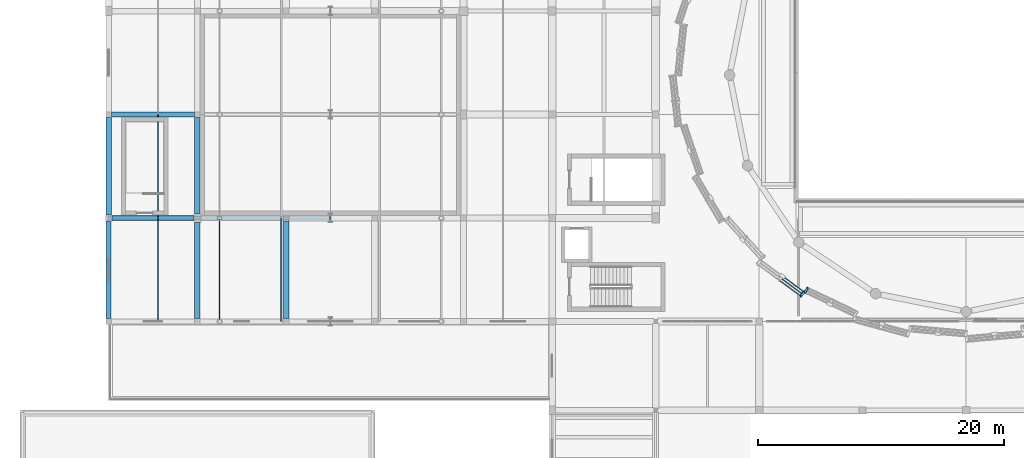
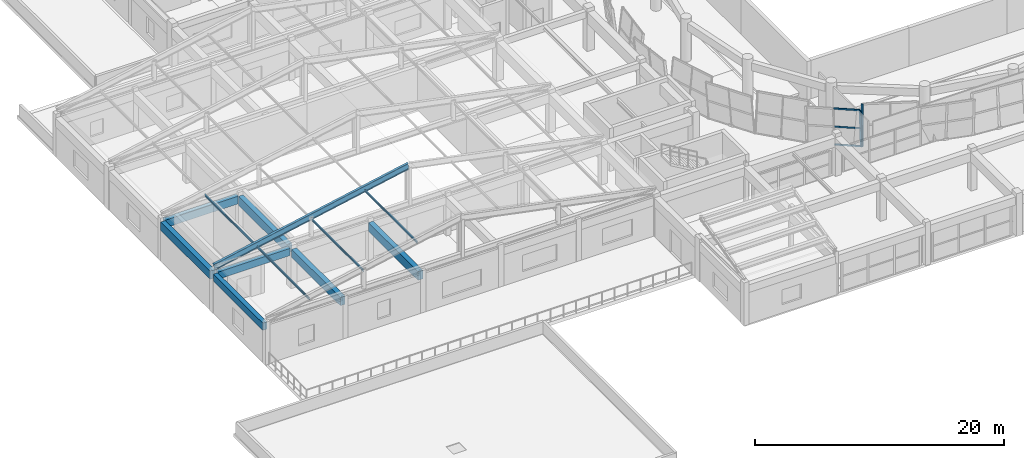
# One storey, part 10 of 74: 10 members, 7 beams, 2 elements without a shape of their own.
"""IFC4 building model written with IfcOpenShell, lengths in metres."""

from ifc_helpers import new_model, si_unit, direction, frame, origin, origin_2d, place, context, subcontext, project, spatial, rectangle, hollow_rectangle, i_section, extrude, material, material_profile, profile_set, type_object, element, aggregate, save


model = new_model("IFC4")

# Units and contexts
model_context = context("Model", 3, precision=1e-05, world=origin(), true_north=direction((0.0, 1.0)))
body_context = subcontext(model_context, "Body", "Model", "MODEL_VIEW")
ifc_project = project(units=[si_unit("LENGTHUNIT", "METRE"), si_unit("AREAUNIT", "SQUARE_METRE"), si_unit("VOLUMEUNIT", "CUBIC_METRE"), si_unit("PLANEANGLEUNIT", "RADIAN"), si_unit("MASSUNIT", "GRAM", prefix="KILO")], contexts=[model_context])

# Site, building, storey
site_placement = place(None, origin())
site = spatial("IfcSite", under=ifc_project, at=site_placement, CompositionType="ELEMENT")
building_placement = place(site_placement, origin())
building = spatial("IfcBuilding", under=site, at=building_placement, Name="Korsvaeld Concert Hall", CompositionType="ELEMENT")
storey_placement = place(building_placement, frame((0.0, 0.0, 9.0)))
storey = spatial("IfcBuildingStorey", under=building, at=storey_placement, Name="L02", CompositionType="ELEMENT", Elevation=9.0)

# Beams
ifc_material_1 = material(Name="Concrete C35/45", Category="concrete")
ifc_material_profile_1 = material_profile(ifc_material_1, rectangle(XDim=0.39990234375, YDim=0.699951171875, at=origin_2d()), Name="RC 400x700")
ifc_profile_set_1 = profile_set([ifc_material_profile_1], Name="Concrete C35/45")
beam_type_1 = type_object("IfcBeamType", Name="BM-RC-400x700", PredefinedType="T_BEAM", material=ifc_profile_set_1)
beam_1_placement = place(storey_placement, frame((14.64990234375, 51.60009765625, 3.489990234375), z_axis=(1.0, 0.0, 0.0), x_axis=(0.0, 1.0, 0.0)))
element("IfcBeam", 1, at=beam_1_placement, inside=storey, type_object=beam_type_1, Name="Primary girder 3-4/H L02", PredefinedType="T_BEAM", context=body_context, shape_type="SweptSolid", body=[
    extrude(rectangle(XDim=0.39990234375, YDim=0.699951171875, at=origin_2d()), origin(), (0.0, 0.0, 1.0), 6.675048828125),
])
beam_2_placement = place(storey_placement, frame((14.39990234375, 43.425048828125, 3.489990234375), z_axis=(0.0, 1.0, 0.0), x_axis=(-1.0, 0.0, 0.0)))
element("IfcBeam", 2, at=beam_2_placement, inside=storey, type_object=beam_type_1, Name="Primary girder 3/G-H L02", PredefinedType="T_BEAM", context=body_context, shape_type="SweptSolid", body=[
    extrude(rectangle(XDim=0.39990234375, YDim=0.699951171875, at=origin_2d()), origin(), (0.0, 0.0, 1.0), 7.925048828125),
])
ifc_material_profile_2 = material_profile(ifc_material_1, rectangle(XDim=0.39990234375, YDim=0.75, at=origin_2d()), Name="RC 400x750")
ifc_profile_set_2 = profile_set([ifc_material_profile_2], Name="Concrete C35/45")
beam_type_2 = type_object("IfcBeamType", Name="BM-RC-400x750", PredefinedType="T_BEAM", material=ifc_profile_set_2)
beam_3_placement = place(storey_placement, frame((14.625, 60.0, 3.465087890625), z_axis=(1.0, 0.0, 0.0), x_axis=(0.0, 1.0, 0.0)))
element("IfcBeam", 3, at=beam_3_placement, inside=storey, type_object=beam_type_2, Name="Primary girder 3-4/J L02", PredefinedType="T_BEAM", context=body_context, shape_type="SweptSolid", body=[
    extrude(rectangle(XDim=0.39990234375, YDim=0.75, at=origin_2d()), origin(), (0.0, 0.0, 1.0), 6.75),
])
ifc_material_profile_3 = material_profile(ifc_material_1, rectangle(XDim=0.449951171875, YDim=0.800048828125, at=origin_2d()), Name="RC 450x800")
ifc_profile_set_3 = profile_set([ifc_material_profile_3], Name="Concrete C35/45")
beam_type_3 = type_object("IfcBeamType", Name="BM-RC-450x800", PredefinedType="T_BEAM", material=ifc_profile_set_3)
beam_4_placement = place(storey_placement, frame((14.39990234375, 51.85009765625, 3.43994140625), z_axis=(0.0, 1.0, 0.0), x_axis=(-1.0, 0.0, 0.0)))
element("IfcBeam", 4, at=beam_4_placement, inside=storey, type_object=beam_type_3, Name="Primary girder 3/H-J L02", PredefinedType="T_BEAM", context=body_context, shape_type="SweptSolid", body=[
    extrude(rectangle(XDim=0.449951171875, YDim=0.800048828125, at=origin_2d()), origin(), (0.0, 0.0, 1.0), 7.9248046875),
])
beam_5_placement = place(storey_placement, frame((21.60009765625, 43.425048828125, 3.43994140625), z_axis=(0.0, 1.0, 0.0), x_axis=(-1.0, 0.0, 0.0)))
element("IfcBeam", 5, at=beam_5_placement, inside=storey, type_object=beam_type_3, Name="Primary girder 4/G-H L02", PredefinedType="T_BEAM", context=body_context, shape_type="SweptSolid", body=[
    extrude(rectangle(XDim=0.449951171875, YDim=0.800048828125, at=origin_2d()), origin(), (0.0, 0.0, 1.0), 7.800048828125),
])
ifc_material_2 = material(Name="Concrete C40/50", Category="concrete")
ifc_material_profile_4 = material_profile(ifc_material_2, rectangle(XDim=0.449951171875, YDim=0.85009765625, at=origin_2d()), Name="RC 450x850")
ifc_profile_set_4 = profile_set([ifc_material_profile_4], Name="Concrete C40/50")
beam_type_4 = type_object("IfcBeamType", Name="BM-RC-450x850", PredefinedType="T_BEAM", material=ifc_profile_set_4)
beam_6_placement = place(storey_placement, frame((21.60009765625, 51.97509765625, 3.4150390625), z_axis=(0.0, 1.0, 0.0), x_axis=(-1.0, 0.0, 0.0)))
element("IfcBeam", 6, at=beam_6_placement, inside=storey, type_object=beam_type_4, Name="Primary girder 4/H-J L02", PredefinedType="T_BEAM", context=body_context, shape_type="SweptSolid", body=[
    extrude(rectangle(XDim=0.449951171875, YDim=0.85009765625, at=origin_2d()), origin(), (0.0, 0.0, 1.0), 7.7998046875),
])
beam_7_placement = place(storey_placement, frame((28.800048828125, 43.449951171875, 3.4150390625), z_axis=(0.0, 1.0, 0.0), x_axis=(-1.0, 0.0, 0.0)))
element("IfcBeam", 7, at=beam_7_placement, inside=storey, type_object=beam_type_4, Name="Primary girder 5/G-H L02", PredefinedType="T_BEAM", context=body_context, shape_type="SweptSolid", body=[
    extrude(rectangle(XDim=0.449951171875, YDim=0.85009765625, at=origin_2d()), origin(), (0.0, 0.0, 1.0), 7.925048828125),
])

# Curtain wall, member
ifc_material_3 = material(Name="Anodised bronze and ceramic-fritted safety glass", Category="glass")
curtain_wall_type_1 = type_object("IfcCurtainWallType", Name="CW-TYPE-06", PredefinedType="USERDEFINED", material=ifc_material_3)
curtain_wall_1_placement = place(storey_placement, origin())
curtain_wall_1 = element("IfcCurtainWall", 8, at=curtain_wall_1_placement, inside=storey, type_object=curtain_wall_type_1, Name="Crystal curtain-wall facet L02 F22", ObjectType="CURTAIN WALL", PredefinedType="USERDEFINED")
ifc_material_4 = material(Name="Anodised architectural bronze aluminium", Category="aluminium")
ifc_material_profile_5 = material_profile(ifc_material_4, hollow_rectangle(XDim=0.074951171875, YDim=0.179931640625, WallThickness=0.0048828125, at=origin_2d()), Name="CWM 180x75x5")
ifc_profile_set_5 = profile_set([ifc_material_profile_5], Name="Anodised architectural bronze aluminium")
member_type_1 = type_object("IfcMemberType", Name="CWM-BRONZE-180x75", PredefinedType="MULLION", material=ifc_profile_set_5)
member_1_placement = place(storey_placement, frame((70.92236328125, 45.556640625, 0.0), z_axis=(0.057893742062, 0.097281493141, 0.993571651026), x_axis=(-0.829999138773, -0.548349174532, 0.102052008437)))
member_1 = element("IfcMember", 9, at=member_1_placement, type_object=member_type_1, Name="CW-CRYS-L02-F22 crystal mullion 1", PredefinedType="MULLION", context=body_context, shape_type="SweptSolid", body=[
    extrude(hollow_rectangle(XDim=0.074951171875, YDim=0.179931640625, WallThickness=0.0048828125, at=origin_2d()), origin(), (0.0, 0.0, 1.0), 3.905029296875),
])
aggregate(curtain_wall_1, [member_1])

# Curtain wall, members
curtain_wall_type_2 = type_object("IfcCurtainWallType", Name="CW-TYPE-05", PredefinedType="USERDEFINED", material=ifc_material_3)
curtain_wall_2_placement = place(storey_placement, origin())
curtain_wall_2 = element("IfcCurtainWall", 10, at=curtain_wall_2_placement, inside=storey, type_object=curtain_wall_type_2, Name="Crystal curtain-wall facet L02 F21", ObjectType="CURTAIN WALL", PredefinedType="USERDEFINED")
ifc_material_profile_6 = material_profile(ifc_material_4, hollow_rectangle(XDim=0.074951171875, YDim=0.219970703125, WallThickness=0.006103515625, at=origin_2d()), Name="CWM 220x75x6")
ifc_profile_set_6 = profile_set([ifc_material_profile_6], Name="Anodised architectural bronze aluminium")
member_type_2 = type_object("IfcMemberType", Name="CWM-BRONZE-220x75", PredefinedType="MULLION", material=ifc_profile_set_6)
member_2_placement = place(storey_placement, frame((70.8583984375, 45.594970703125, 0.0), z_axis=(-0.076399797549, -0.083527110905, 0.993572489896), x_axis=(0.977623029166, 0.189609004859, 0.091113325707)))
member_2 = element("IfcMember", 11, at=member_2_placement, type_object=member_type_2, Name="CW-CRYS-L02-F21 crystal mullion 3", PredefinedType="MULLION", context=body_context, shape_type="SweptSolid", body=[
    extrude(hollow_rectangle(XDim=0.074951171875, YDim=0.219970703125, WallThickness=0.006103515625, at=origin_2d()), origin(), (0.0, 0.0, 1.0), 3.905029296875),
])
ifc_material_profile_7 = material_profile(ifc_material_4, hollow_rectangle(XDim=0.074951171875, YDim=0.14990234375, WallThickness=0.0048828125, at=origin_2d()), Name="CWT 150x75x5")
ifc_profile_set_7 = profile_set([ifc_material_profile_7], Name="Anodised architectural bronze aluminium")
member_type_3 = type_object("IfcMemberType", Name="CWT-BRONZE-150x75", PredefinedType="USERDEFINED", material=ifc_profile_set_7)
member_3_placement = place(storey_placement, frame((69.128173828125, 46.8662109375, 0.030029296875), z_axis=(0.804945265899, -0.593349070031, 0.0), x_axis=(0.593349070031, 0.804945265899, 0.0)))
member_3 = element("IfcMember", 12, at=member_3_placement, type_object=member_type_3, Name="CW-CRYS-L02-F21 crystal transom 2.1", ObjectType="TRANSOM", PredefinedType="USERDEFINED", context=body_context, shape_type="SweptSolid", body=[
    extrude(hollow_rectangle(XDim=0.074951171875, YDim=0.14990234375, WallThickness=0.0048828125, at=origin_2d()), origin(), (0.0, 0.0, 1.0), 2.109130859375),
])
member_4_placement = place(storey_placement, frame((68.9814453125, 46.70556640625, 1.93994140625), z_axis=(0.804904507896, -0.593404358906, 0.0), x_axis=(0.593404358906, 0.804904507896, 0.0)))
member_4 = element("IfcMember", 13, at=member_4_placement, type_object=member_type_3, Name="CW-CRYS-L02-F21 crystal transom 2.2", ObjectType="TRANSOM", PredefinedType="USERDEFINED", context=body_context, shape_type="SweptSolid", body=[
    extrude(hollow_rectangle(XDim=0.074951171875, YDim=0.14990234375, WallThickness=0.0048828125, at=origin_2d()), origin(), (0.0, 0.0, 1.0), 2.10888671875),
])
member_5_placement = place(storey_placement, frame((68.834716796875, 46.544921875, 3.85009765625), z_axis=(0.804904507896, -0.593404358906, 0.0), x_axis=(0.593404358906, 0.804904507896, 0.0)))
member_5 = element("IfcMember", 14, at=member_5_placement, type_object=member_type_3, Name="CW-CRYS-L02-F21 crystal transom 2.3", ObjectType="TRANSOM", PredefinedType="USERDEFINED", context=body_context, shape_type="SweptSolid", body=[
    extrude(hollow_rectangle(XDim=0.074951171875, YDim=0.14990234375, WallThickness=0.0048828125, at=origin_2d()), origin(), (0.0, 0.0, 1.0), 2.10888671875),
])
aggregate(curtain_wall_2, [member_2, member_3, member_4, member_5])

# Members
ifc_material_5 = material(Name="Steel S355J2", Category="steel")
ifc_material_profile_8 = material_profile(ifc_material_5, i_section(OverallWidth=0.10009765625, OverallDepth=0.199951171875, WebThickness=0.005615234375, FlangeThickness=0.008544921875, FilletRadius=0.011962890625, at=origin_2d()), Name="IPE 200")
ifc_profile_set_8 = profile_set([ifc_material_profile_8], Name="Steel S355J2")
member_type_4 = type_object("IfcMemberType", Name="MEM-PUR-IPE200", PredefinedType="PURLIN", material=ifc_profile_set_8)
member_6_placement = place(storey_placement, frame((18.39990234375, 43.199951171875, 4.89990234375), z_axis=(0.0, 1.0, 0.0), x_axis=(-1.0, 0.0, 0.0)))
element("IfcMember", 15, at=member_6_placement, inside=storey, type_object=member_type_4, Name="Orchestra Rehearsal roof purlin 18.1", PredefinedType="PURLIN", context=body_context, shape_type="SweptSolid", body=[
    extrude(i_section(OverallWidth=0.10009765625, OverallDepth=0.199951171875, WebThickness=0.005615234375, FlangeThickness=0.008544921875, FilletRadius=0.011962890625, at=origin_2d()), origin(), (0.0, 0.0, 1.0), 8.400146484375),
])
member_7_placement = place(storey_placement, frame((18.39990234375, 51.60009765625, 4.89990234375), z_axis=(0.0, 1.0, 0.0), x_axis=(-1.0, 0.0, 0.0)))
element("IfcMember", 16, at=member_7_placement, inside=storey, type_object=member_type_4, Name="Orchestra Rehearsal roof purlin 18.2", PredefinedType="PURLIN", context=body_context, shape_type="SweptSolid", body=[
    extrude(i_section(OverallWidth=0.10009765625, OverallDepth=0.199951171875, WebThickness=0.005615234375, FlangeThickness=0.008544921875, FilletRadius=0.011962890625, at=origin_2d()), origin(), (0.0, 0.0, 1.0), 8.39990234375),
])
for number, where, z_axis, x_axis, name in (
    (17, (23.39990234375, 43.199951171875, 5.89990234375), (0.0, 1.0, 0.0), (-1.0, 0.0, 0.0), "Orchestra Rehearsal roof purlin 23.1"),
    (18, (28.39990234375, 43.199951171875, 6.89990234375), (0.0, 1.0, 0.0), (-1.0, 0.0, 0.0), "Orchestra Rehearsal roof purlin 28.1"),
):
    element("IfcMember", number, at=place(storey_placement, frame(where, z_axis=z_axis, x_axis=x_axis)), inside=storey, type_object=member_type_4, Name=name, PredefinedType="PURLIN", context=body_context, shape_type="SweptSolid", body=[
        extrude(i_section(OverallWidth=0.10009765625, OverallDepth=0.199951171875, WebThickness=0.005615234375, FlangeThickness=0.008544921875, FilletRadius=0.011962890625, at=origin_2d()), origin(), (0.0, 0.0, 1.0), 8.400146484375),
    ])
ifc_material_profile_9 = material_profile(ifc_material_5, i_section(OverallWidth=0.219970703125, OverallDepth=0.60009765625, WebThickness=0.011962890625, FlangeThickness=0.01904296875, FilletRadius=0.02392578125, at=origin_2d()), Name="IPE 600")
ifc_profile_set_9 = profile_set([ifc_material_profile_9], Name="Steel S355J2")
member_type_5 = type_object("IfcMemberType", Name="MEM-RAF-IPE600", PredefinedType="RAFTER", material=ifc_profile_set_9)
member_8_placement = place(storey_placement, frame((14.39990234375, 51.60009765625, 4.35009765625), z_axis=(0.980582210276, 0.0, 0.196108462057), x_axis=(0.0, 1.0, 0.0)))
element("IfcMember", 19, at=member_8_placement, inside=storey, type_object=member_type_5, Name="Orchestra Rehearsal west rafter 2", PredefinedType="RAFTER", context=body_context, shape_type="SweptSolid", body=[
    extrude(i_section(OverallWidth=0.219970703125, OverallDepth=0.60009765625, WebThickness=0.011962890625, FlangeThickness=0.01904296875, FilletRadius=0.02392578125, at=origin_2d()), origin(), (0.0, 0.0, 1.0), 18.3564453125),
])

save(model, "model.ifc")
